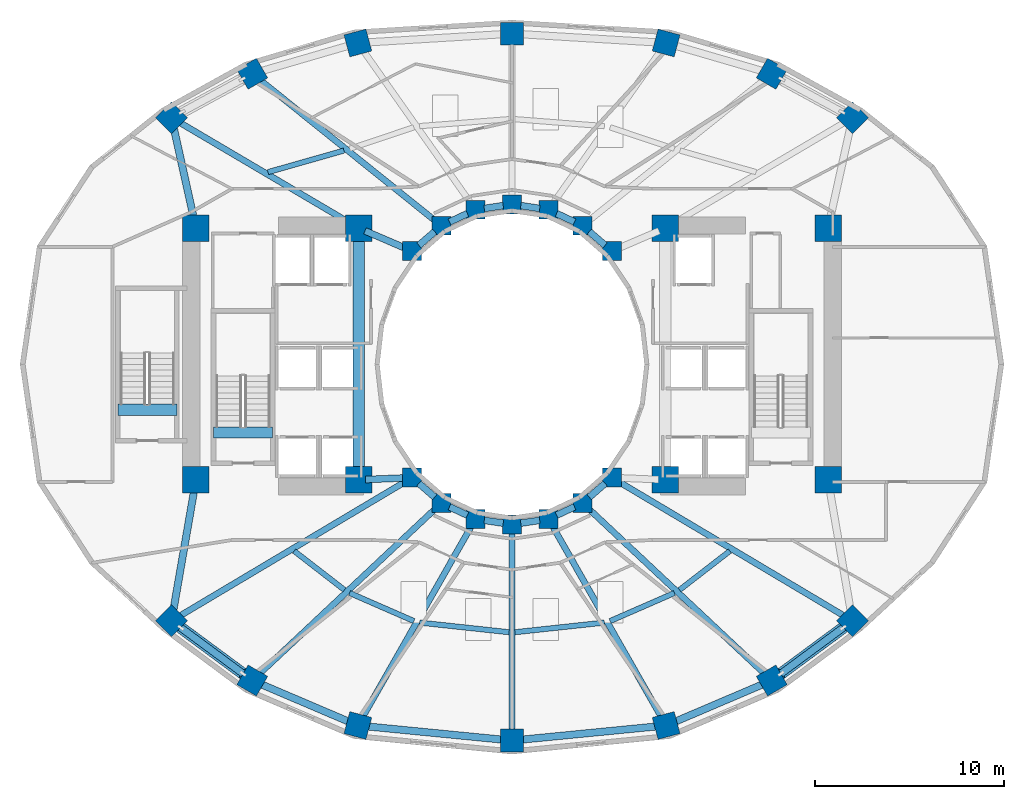
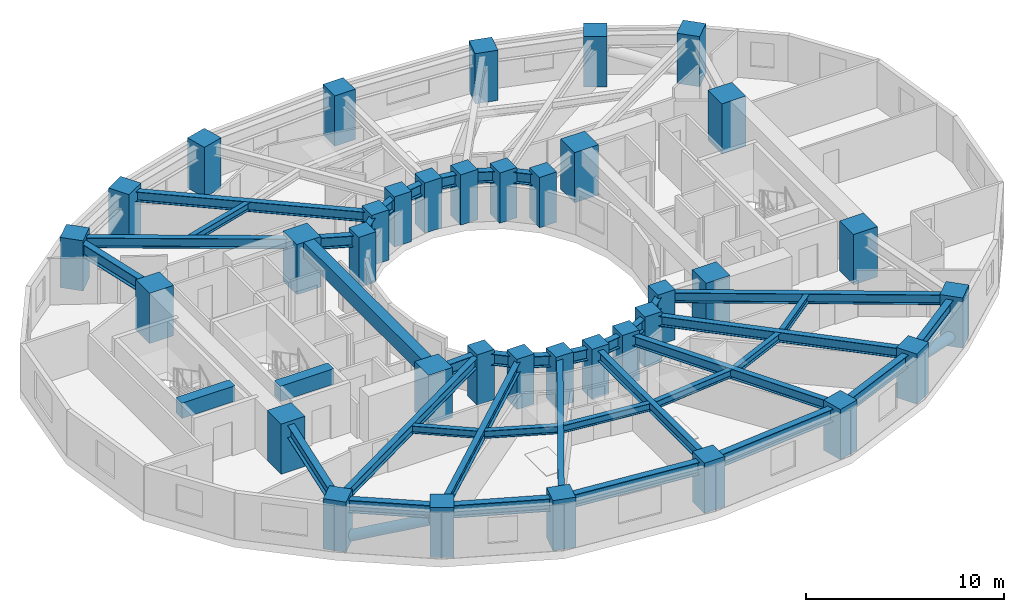
# One storey, part 1 of 9: 41 beams, 36 columns, 2 members.
"""IFC4 building model written with IfcOpenShell, lengths in metres."""

from ifc_helpers import new_model, si_unit, direction, frame, origin, origin_2d, place, context, subcontext, project, spatial, rectangle, hollow_circle, i_section, extrude, material, material_profile, profile_set, type_object, element, save


model = new_model("IFC4")

# Units and contexts
model_context = context("Model", 3, precision=1e-05, world=origin(), true_north=direction((0.0, 1.0)))
body_context = subcontext(model_context, "Body", "Model", "MODEL_VIEW")
ifc_project = project(units=[si_unit("LENGTHUNIT", "METRE"), si_unit("AREAUNIT", "SQUARE_METRE"), si_unit("VOLUMEUNIT", "CUBIC_METRE"), si_unit("PLANEANGLEUNIT", "RADIAN"), si_unit("MASSUNIT", "GRAM", prefix="KILO")], contexts=[model_context])

# Site, building, storey
site_placement = place(None, origin())
site = spatial("IfcSite", under=ifc_project, at=site_placement, CompositionType="ELEMENT")
building_placement = place(site_placement, origin())
building = spatial("IfcBuilding", under=site, at=building_placement, Name="Solvane Sanctuary Tower", CompositionType="ELEMENT")
storey_placement = place(building_placement, frame((0.0, 0.0, 55.5)))
storey = spatial("IfcBuildingStorey", under=building, at=storey_placement, Name="L16", CompositionType="ELEMENT", Elevation=55.5)

# Columns
ifc_material_1 = material(Name="Concrete C70/85", Category="concrete")
ifc_material_profile_1 = material_profile(ifc_material_1, rectangle(XDim=1.39990234375, YDim=1.39990234375, at=origin_2d()), Name="RC1400X1400")
ifc_profile_set_1 = profile_set([ifc_material_profile_1], Name="Concrete C70/85")
column_type_1 = type_object("IfcColumnType", Name="Column C-POD-INT RC1400X1400", PredefinedType="COLUMN", material=ifc_profile_set_1)
for number, where, z_axis, x_axis, name in (
    (1, (15.300048828125, 16.89990234375, 0.0), (0.0, 0.0, 1.0), (1.0, 0.0, 0.0), "L16 Core Corner Column CW1"),
    (2, (23.89990234375, 16.89990234375, 0.0), (0.0, 0.0, 1.0), (1.0, 0.0, 0.0), "L16 Core Corner Column CW2"),
    (3, (23.89990234375, 30.199951171875, 0.0), (0.0, 0.0, 1.0), (1.0, 0.0, 0.0), "L16 Core Corner Column CW3"),
    (4, (15.300048828125, 30.199951171875, 0.0), (0.0, 0.0, 1.0), (1.0, 0.0, 0.0), "L16 Core Corner Column CW4"),
    (5, (40.10009765625, 16.89990234375, 0.0), (0.0, 0.0, 1.0), (1.0, 0.0, 0.0), "L16 Core Corner Column CE1"),
    (6, (48.699951171875, 16.89990234375, 0.0), (0.0, 0.0, 1.0), (1.0, 0.0, 0.0), "L16 Core Corner Column CE2"),
    (7, (48.699951171875, 30.199951171875, 0.0), (0.0, 0.0, 1.0), (1.0, 0.0, 0.0), "L16 Core Corner Column CE3"),
    (8, (40.10009765625, 30.199951171875, 0.0), (0.0, 0.0, 1.0), (1.0, 0.0, 0.0), "L16 Core Corner Column CE4"),
):
    element("IfcColumn", number, at=place(storey_placement, frame(where, z_axis=z_axis, x_axis=x_axis)), inside=storey, type_object=column_type_1, Name=name, PredefinedType="COLUMN", context=body_context, shape_type="SweptSolid", body=[
        extrude(rectangle(XDim=1.39990234375, YDim=1.39990234375, at=origin_2d()), origin(), (0.0, 0.0, 1.0), 3.10009765625),
    ])
ifc_material_profile_2 = material_profile(ifc_material_1, rectangle(XDim=1.0, YDim=1.0, at=origin_2d()), Name="RC1000X1000")
ifc_profile_set_2 = profile_set([ifc_material_profile_2], Name="Concrete C70/85")
column_type_2 = type_object("IfcColumnType", Name="Column C-RING-Z1 RC1000X1000", PredefinedType="COLUMN", material=ifc_profile_set_2)
for number, where, z_axis, x_axis, name in (
    (9, (37.27490234375, 28.982177734375, 0.0), (0.0, 0.0, 1.0), (1.0, 0.0, 0.0), "L16 Inner Light-Well Ring Column IC01"),
    (10, (35.72998046875, 30.32666015625, 0.0), (0.0, 0.0, 1.0), (1.0, 0.0, 0.0), "L16 Inner Light-Well Ring Column IC02"),
    (11, (33.930908203125, 31.171630859375, 0.0), (0.0, 0.0, 1.0), (1.0, 0.0, 0.0), "L16 Inner Light-Well Ring Column IC03"),
    (12, (32.0, 31.4599609375, 0.0), (0.0, 0.0, 1.0), (1.0, 0.0, 0.0), "L16 Inner Light-Well Ring Column IC04"),
    (13, (30.069091796875, 31.171630859375, 0.0), (0.0, 0.0, 1.0), (1.0, 0.0, 0.0), "L16 Inner Light-Well Ring Column IC05"),
    (14, (28.27001953125, 30.32666015625, 0.0), (0.0, 0.0, 1.0), (1.0, 0.0, 0.0), "L16 Inner Light-Well Ring Column IC06"),
    (15, (26.72509765625, 28.982177734375, 0.0), (0.0, 0.0, 1.0), (1.0, 0.0, 0.0), "L16 Inner Light-Well Ring Column IC07"),
    (16, (26.72509765625, 17.017822265625, 0.0), (0.0, 0.0, 1.0), (1.0, 0.0, 0.0), "L16 Inner Light-Well Ring Column IC08"),
    (17, (28.27001953125, 15.67333984375, 0.0), (0.0, 0.0, 1.0), (1.0, 0.0, 0.0), "L16 Inner Light-Well Ring Column IC09"),
    (18, (30.069091796875, 14.828369140625, 0.0), (0.0, 0.0, 1.0), (1.0, 0.0, 0.0), "L16 Inner Light-Well Ring Column IC10"),
    (19, (32.0, 14.5400390625, 0.0), (0.0, 0.0, 1.0), (1.0, 0.0, 0.0), "L16 Inner Light-Well Ring Column IC11"),
    (20, (33.930908203125, 14.828369140625, 0.0), (0.0, 0.0, 1.0), (1.0, 0.0, 0.0), "L16 Inner Light-Well Ring Column IC12"),
    (21, (35.72998046875, 15.67333984375, 0.0), (0.0, 0.0, 1.0), (1.0, 0.0, 0.0), "L16 Inner Light-Well Ring Column IC13"),
    (22, (37.27490234375, 17.017822265625, 0.0), (0.0, 0.0, 1.0), (1.0, 0.0, 0.0), "L16 Inner Light-Well Ring Column IC14"),
):
    element("IfcColumn", number, at=place(storey_placement, frame(where, z_axis=z_axis, x_axis=x_axis)), inside=storey, type_object=column_type_2, Name=name, PredefinedType="COLUMN", context=body_context, shape_type="SweptSolid", body=[
        extrude(rectangle(XDim=1.0, YDim=1.0, at=origin_2d()), origin(), (0.0, 0.0, 1.0), 3.10009765625),
    ])
ifc_material_profile_3 = material_profile(ifc_material_1, rectangle(XDim=1.199951171875, YDim=1.199951171875, at=origin_2d()), Name="RC1200X1200")
ifc_profile_set_3 = profile_set([ifc_material_profile_3], Name="Concrete C70/85")
column_type_3 = type_object("IfcColumnType", Name="Column C-TUBE-Z1 RC1200X1200", PredefinedType="COLUMN", material=ifc_profile_set_3)
for number, where, z_axis, x_axis, name in (
    (23, (49.99169921875, 36.035400390625, 0.0), (0.0, 0.0, 1.0), (0.707106781187, 0.707106781187, 0.0), "L16 Perimeter Tube Column TC01"),
    (24, (45.727294921875, 38.359375, 0.0), (0.0, 0.0, 1.0), (0.5, 0.866025403784, 0.0), "L16 Perimeter Tube Column TC02"),
    (25, (40.14501953125, 39.985595703125, 0.0), (0.0, 0.0, 1.0), (0.258819045103, 0.965925826289, 0.0), "L16 Perimeter Tube Column TC03"),
    (26, (32.0, 40.47998046875, 0.0), (0.0, 0.0, 1.0), (0.0, 1.0, 0.0), "L16 Perimeter Tube Column TC04"),
    (27, (23.85498046875, 39.985595703125, 0.0), (0.0, 0.0, 1.0), (-0.258819045103, 0.965925826289, 0.0), "L16 Perimeter Tube Column TC05"),
    (28, (18.272705078125, 38.359375, 0.0), (0.0, 0.0, 1.0), (-0.5, 0.866025403784, 0.0), "L16 Perimeter Tube Column TC06"),
    (29, (14.00830078125, 36.035400390625, 0.0), (0.0, 0.0, 1.0), (-0.707106781187, 0.707106781187, 0.0), "L16 Perimeter Tube Column TC07"),
    (30, (14.00830078125, 9.4462890625, 0.0), (0.0, 0.0, 1.0), (-0.707106781187, -0.707106781187, 0.0), "L16 Perimeter Tube Column TC08"),
    (31, (18.272705078125, 6.2958984375, 0.0), (0.0, 0.0, 1.0), (-0.5, -0.866025403784, 0.0), "L16 Perimeter Tube Column TC09"),
    (32, (23.85498046875, 3.916259765625, 0.0), (0.0, 0.0, 1.0), (-0.258819045103, -0.965925826289, 0.0), "L16 Perimeter Tube Column TC10"),
    (33, (32.0, 3.1201171875, 0.0), (0.0, 0.0, 1.0), (0.0, -1.0, 0.0), "L16 Perimeter Tube Column TC11"),
    (34, (40.14501953125, 3.916259765625, 0.0), (0.0, 0.0, 1.0), (0.258819045103, -0.965925826289, 0.0), "L16 Perimeter Tube Column TC12"),
    (35, (45.727294921875, 6.2958984375, 0.0), (0.0, 0.0, 1.0), (0.5, -0.866025403784, 0.0), "L16 Perimeter Tube Column TC13"),
    (36, (49.99169921875, 9.4462890625, 0.0), (0.0, 0.0, 1.0), (0.707106781187, -0.707106781187, 0.0), "L16 Perimeter Tube Column TC14"),
):
    element("IfcColumn", number, at=place(storey_placement, frame(where, z_axis=z_axis, x_axis=x_axis)), inside=storey, type_object=column_type_3, Name=name, PredefinedType="COLUMN", context=body_context, shape_type="SweptSolid", body=[
        extrude(rectangle(XDim=1.199951171875, YDim=1.199951171875, at=origin_2d()), origin(), (0.0, 0.0, 1.0), 3.10009765625),
    ])

# Beams
ifc_material_profile_4 = material_profile(ifc_material_1, rectangle(XDim=0.60009765625, YDim=0.949951171875, at=origin_2d()), Name="RC600X950")
ifc_profile_set_4 = profile_set([ifc_material_profile_4], Name="Concrete C70/85")
beam_type_1 = type_object("IfcBeamType", Name="Beam B-COUPLE RC600X950", PredefinedType="LINTEL", material=ifc_profile_set_4)
beam_1_placement = place(storey_placement, frame((23.89990234375, 17.35009765625, 2.625), z_axis=(0.0, 1.0, 0.0), x_axis=(-1.0, 0.0, 0.0)))
element("IfcBeam", 37, at=beam_1_placement, inside=storey, type_object=beam_type_1, Name="L16 West Core Coupling Lintel", PredefinedType="LINTEL", context=body_context, shape_type="SweptSolid", body=[
    extrude(rectangle(XDim=0.60009765625, YDim=0.949951171875, at=origin_2d()), origin(), (0.0, 0.0, 1.0), 12.39990234375),
])
for number, where, z_axis, x_axis, name in (
    (38, (16.22998046875, 19.399169921875, 2.625), (1.0, 0.0, 0.0), (0.0, 1.0, 0.0), "L16 ST-1 Stair Floor Landing Trimmer"),
    (39, (11.169921875, 20.59912109375, 2.625), (1.0, 0.0, 0.0), (0.0, 1.0, 0.0), "L16 ST-3 Stair Floor Landing Trimmer"),
):
    element("IfcBeam", number, at=place(storey_placement, frame(where, z_axis=z_axis, x_axis=x_axis)), inside=storey, type_object=beam_type_1, Name=name, PredefinedType="LINTEL", context=body_context, shape_type="SweptSolid", body=[
        extrude(rectangle(XDim=0.60009765625, YDim=0.949951171875, at=origin_2d()), origin(), (0.0, 0.0, 1.0), 3.1201171875),
    ])
ifc_material_2 = material(Name="Steel ASTM A992 Grade 50", Category="steel")
ifc_material_profile_5 = material_profile(ifc_material_2, i_section(OverallWidth=0.323974609375, OverallDepth=0.611083984375, WebThickness=0.0126953125, FlangeThickness=0.01904296875, FilletRadius=0.01611328125, at=origin_2d()), Name="W24X104")
ifc_profile_set_5 = profile_set([ifc_material_profile_5], Name="Steel ASTM A992 Grade 50")
beam_type_2 = type_object("IfcBeamType", Name="Beam B-RAD-Z1 W24X104", PredefinedType="BEAM", material=ifc_profile_set_5)
beam_2_placement = place(storey_placement, frame((28.0517578125, 30.501953125, 2.572509765625), z_axis=(-0.779526985436, 0.626368644631, 0.0), x_axis=(-0.626368644631, -0.779526985436, 0.0)))
element("IfcBeam", 40, at=beam_2_placement, inside=storey, type_object=beam_type_2, Name="L16 Radial Composite Floor Beam 06", PredefinedType="BEAM", context=body_context, shape_type="SweptSolid", body=[
    extrude(i_section(OverallWidth=0.323974609375, OverallDepth=0.611083984375, WebThickness=0.0126953125, FlangeThickness=0.01904296875, FilletRadius=0.01611328125, at=origin_2d()), origin(), (0.0, 0.0, 1.0), 12.2646484375),
])
beam_3_placement = place(storey_placement, frame((23.58984375, 30.3828125, 2.572509765625), z_axis=(-0.861291129905, 0.508111788435, 0.0), x_axis=(-0.508111788435, -0.861291129905, 0.0)))
element("IfcBeam", 41, at=beam_3_placement, inside=storey, type_object=beam_type_2, Name="L16 Radial Composite Floor Beam 07", PredefinedType="BEAM", context=body_context, shape_type="SweptSolid", body=[
    extrude(i_section(OverallWidth=0.323974609375, OverallDepth=0.611083984375, WebThickness=0.0126953125, FlangeThickness=0.01904296875, FilletRadius=0.01611328125, at=origin_2d()), origin(), (0.0, 0.0, 1.0), 10.844482421875),
])
beam_4_placement = place(storey_placement, frame((26.484375, 16.874755859375, 2.572509765625), z_axis=(-0.859229187027, -0.511590856214, 0.0), x_axis=(0.511590856214, -0.859229187027, 0.0)))
element("IfcBeam", 42, at=beam_4_placement, inside=storey, type_object=beam_type_2, Name="L16 Radial Composite Floor Beam 08", PredefinedType="BEAM", context=body_context, shape_type="SweptSolid", body=[
    extrude(i_section(OverallWidth=0.323974609375, OverallDepth=0.611083984375, WebThickness=0.0126953125, FlangeThickness=0.01904296875, FilletRadius=0.01611328125, at=origin_2d()), origin(), (0.0, 0.0, 1.0), 14.240234375),
])
beam_5_placement = place(storey_placement, frame((28.06591796875, 15.481689453125, 2.572509765625), z_axis=(-0.729363446859, -0.68412642281, 0.0), x_axis=(0.68412642281, -0.729363446859, 0.0)))
element("IfcBeam", 43, at=beam_5_placement, inside=storey, type_object=beam_type_2, Name="L16 Radial Composite Floor Beam 09", PredefinedType="BEAM", context=body_context, shape_type="SweptSolid", body=[
    extrude(i_section(OverallWidth=0.323974609375, OverallDepth=0.611083984375, WebThickness=0.0126953125, FlangeThickness=0.01904296875, FilletRadius=0.01611328125, at=origin_2d()), origin(), (0.0, 0.0, 1.0), 13.14697265625),
])
beam_6_placement = place(storey_placement, frame((29.9306640625, 14.5849609375, 2.572509765625), z_axis=(-0.494862949167, -0.868971036078, 0.0), x_axis=(0.868971036078, -0.494862949167, 0.0)))
element("IfcBeam", 44, at=beam_6_placement, inside=storey, type_object=beam_type_2, Name="L16 Radial Composite Floor Beam 10", PredefinedType="BEAM", context=body_context, shape_type="SweptSolid", body=[
    extrude(i_section(OverallWidth=0.323974609375, OverallDepth=0.611083984375, WebThickness=0.0126953125, FlangeThickness=0.01904296875, FilletRadius=0.01611328125, at=origin_2d()), origin(), (0.0, 0.0, 1.0), 11.997314453125),
])
beam_7_placement = place(storey_placement, frame((32.0, 14.260009765625, 2.572509765625), z_axis=(0.0, -1.0, 0.0), x_axis=(1.0, 0.0, 0.0)))
element("IfcBeam", 45, at=beam_7_placement, inside=storey, type_object=beam_type_2, Name="L16 Radial Composite Floor Beam 11", PredefinedType="BEAM", context=body_context, shape_type="SweptSolid", body=[
    extrude(i_section(OverallWidth=0.323974609375, OverallDepth=0.611083984375, WebThickness=0.0126953125, FlangeThickness=0.01904296875, FilletRadius=0.01611328125, at=origin_2d()), origin(), (0.0, 0.0, 1.0), 10.860107421875),
])
beam_8_placement = place(storey_placement, frame((34.0693359375, 14.5849609375, 2.572509765625), z_axis=(0.494862949167, -0.868971036078, 0.0), x_axis=(0.868971036078, 0.494862949167, 0.0)))
element("IfcBeam", 46, at=beam_8_placement, inside=storey, type_object=beam_type_2, Name="L16 Radial Composite Floor Beam 12", PredefinedType="BEAM", context=body_context, shape_type="SweptSolid", body=[
    extrude(i_section(OverallWidth=0.323974609375, OverallDepth=0.611083984375, WebThickness=0.0126953125, FlangeThickness=0.01904296875, FilletRadius=0.01611328125, at=origin_2d()), origin(), (0.0, 0.0, 1.0), 11.997314453125),
])
beam_9_placement = place(storey_placement, frame((35.93408203125, 15.481689453125, 2.572509765625), z_axis=(0.729363446859, -0.68412642281, 0.0), x_axis=(0.68412642281, 0.729363446859, 0.0)))
element("IfcBeam", 47, at=beam_9_placement, inside=storey, type_object=beam_type_2, Name="L16 Radial Composite Floor Beam 13", PredefinedType="BEAM", context=body_context, shape_type="SweptSolid", body=[
    extrude(i_section(OverallWidth=0.323974609375, OverallDepth=0.611083984375, WebThickness=0.0126953125, FlangeThickness=0.01904296875, FilletRadius=0.01611328125, at=origin_2d()), origin(), (0.0, 0.0, 1.0), 13.14697265625),
])
beam_10_placement = place(storey_placement, frame((37.515625, 16.874755859375, 2.572509765625), z_axis=(0.859229187027, -0.511590856214, 0.0), x_axis=(0.511590856214, 0.859229187027, 0.0)))
element("IfcBeam", 48, at=beam_10_placement, inside=storey, type_object=beam_type_2, Name="L16 Radial Composite Floor Beam 14", PredefinedType="BEAM", context=body_context, shape_type="SweptSolid", body=[
    extrude(i_section(OverallWidth=0.323974609375, OverallDepth=0.611083984375, WebThickness=0.0126953125, FlangeThickness=0.01904296875, FilletRadius=0.01611328125, at=origin_2d()), origin(), (0.0, 0.0, 1.0), 14.240234375),
])
ifc_material_profile_6 = material_profile(ifc_material_2, i_section(OverallWidth=0.35498046875, OverallDepth=0.695068359375, WebThickness=0.015380859375, FlangeThickness=0.02490234375, FilletRadius=0.01806640625, at=origin_2d()), Name="W27X146")
ifc_profile_set_6 = profile_set([ifc_material_profile_6], Name="Steel ASTM A992 Grade 50")
beam_type_3 = type_object("IfcBeamType", Name="Beam B-RING-IN1 W27X146", PredefinedType="BEAM", material=ifc_profile_set_6)
beam_11_placement = place(storey_placement, frame((24.230712890625, 30.0576171875, 2.530517578125), z_axis=(0.918277080365, -0.395938383687, 0.0), x_axis=(0.395938383687, 0.918277080365, 0.0)))
element("IfcBeam", 49, at=beam_11_placement, inside=storey, type_object=beam_type_3, Name="L16 Inner Light-Well Ring Beam CW3-IC07", PredefinedType="BEAM", context=body_context, shape_type="SweptSolid", body=[
    extrude(i_section(OverallWidth=0.35498046875, OverallDepth=0.695068359375, WebThickness=0.015380859375, FlangeThickness=0.02490234375, FilletRadius=0.01806640625, at=origin_2d()), origin(), (0.0, 0.0, 1.0), 2.246337890625),
])
beam_12_placement = place(storey_placement, frame((27.07958984375, 29.29052734375, 2.530517578125), z_axis=(0.754320881993, 0.65650590781, 0.0), x_axis=(-0.65650590781, 0.754320881993, 0.0)))
element("IfcBeam", 50, at=beam_12_placement, inside=storey, type_object=beam_type_3, Name="L16 Inner Light-Well Ring Beam IC07-IC06", PredefinedType="BEAM", context=body_context, shape_type="SweptSolid", body=[
    extrude(i_section(OverallWidth=0.35498046875, OverallDepth=0.695068359375, WebThickness=0.015380859375, FlangeThickness=0.02490234375, FilletRadius=0.01806640625, at=origin_2d()), origin(), (0.0, 0.0, 1.0), 1.108154296875),
])
beam_13_placement = place(storey_placement, frame((28.6953125, 30.5263671875, 2.530517578125), z_axis=(0.905108885866, 0.42517984986, 0.0), x_axis=(-0.42517984986, 0.905108885866, 0.0)))
element("IfcBeam", 51, at=beam_13_placement, inside=storey, type_object=beam_type_3, Name="L16 Inner Light-Well Ring Beam IC06-IC05", PredefinedType="BEAM", context=body_context, shape_type="SweptSolid", body=[
    extrude(i_section(OverallWidth=0.35498046875, OverallDepth=0.695068359375, WebThickness=0.015380859375, FlangeThickness=0.02490234375, FilletRadius=0.01806640625, at=origin_2d()), origin(), (0.0, 0.0, 1.0), 1.0478515625),
])
for number, where, z_axis, x_axis, name in (
    (52, (30.533935546875, 31.2412109375, 2.530517578125), (0.989047520133, 0.147597435338, 0.0), (-0.147597435338, 0.989047520133, 0.0), "L16 Inner Light-Well Ring Beam IC05-IC04"),
    (53, (32.46484375, 31.390625, 2.530517578125), (0.989047520133, -0.147597435338, 0.0), (0.147597435338, 0.989047520133, 0.0), "L16 Inner Light-Well Ring Beam IC04-IC03"),
):
    element("IfcBeam", number, at=place(storey_placement, frame(where, z_axis=z_axis, x_axis=x_axis)), inside=storey, type_object=beam_type_3, Name=name, PredefinedType="BEAM", context=body_context, shape_type="SweptSolid", body=[
        extrude(i_section(OverallWidth=0.35498046875, OverallDepth=0.695068359375, WebThickness=0.015380859375, FlangeThickness=0.02490234375, FilletRadius=0.01806640625, at=origin_2d()), origin(), (0.0, 0.0, 1.0), 1.01220703125),
    ])
beam_14_placement = place(storey_placement, frame((34.356201171875, 30.971923828125, 2.530517578125), z_axis=(0.905108885866, -0.42517984986, 0.0), x_axis=(0.42517984986, 0.905108885866, 0.0)))
element("IfcBeam", 54, at=beam_14_placement, inside=storey, type_object=beam_type_3, Name="L16 Inner Light-Well Ring Beam IC03-IC02", PredefinedType="BEAM", context=body_context, shape_type="SweptSolid", body=[
    extrude(i_section(OverallWidth=0.35498046875, OverallDepth=0.695068359375, WebThickness=0.015380859375, FlangeThickness=0.02490234375, FilletRadius=0.01806640625, at=origin_2d()), origin(), (0.0, 0.0, 1.0), 1.0478515625),
])
beam_15_placement = place(storey_placement, frame((36.08447265625, 30.01806640625, 2.530517578125), z_axis=(0.754320881993, -0.65650590781, 0.0), x_axis=(0.65650590781, 0.754320881993, 0.0)))
element("IfcBeam", 55, at=beam_15_placement, inside=storey, type_object=beam_type_3, Name="L16 Inner Light-Well Ring Beam IC02-IC01", PredefinedType="BEAM", context=body_context, shape_type="SweptSolid", body=[
    extrude(i_section(OverallWidth=0.35498046875, OverallDepth=0.695068359375, WebThickness=0.015380859375, FlangeThickness=0.02490234375, FilletRadius=0.01806640625, at=origin_2d()), origin(), (0.0, 0.0, 1.0), 1.108154296875),
])
beam_16_placement = place(storey_placement, frame((24.259765625, 16.9150390625, 2.530517578125), z_axis=(0.999130953379, 0.041681386726, 0.0), x_axis=(-0.041681386726, 0.999130953379, 0.0)))
element("IfcBeam", 56, at=beam_16_placement, inside=storey, type_object=beam_type_3, Name="L16 Inner Light-Well Ring Beam CW2-IC08", PredefinedType="BEAM", context=body_context, shape_type="SweptSolid", body=[
    extrude(i_section(OverallWidth=0.35498046875, OverallDepth=0.695068359375, WebThickness=0.015380859375, FlangeThickness=0.02490234375, FilletRadius=0.01806640625, at=origin_2d()), origin(), (0.0, 0.0, 1.0), 1.997314453125),
])
beam_17_placement = place(storey_placement, frame((27.07958984375, 16.70947265625, 2.530517578125), z_axis=(0.754320881993, -0.65650590781, 0.0), x_axis=(0.65650590781, 0.754320881993, 0.0)))
element("IfcBeam", 57, at=beam_17_placement, inside=storey, type_object=beam_type_3, Name="L16 Inner Light-Well Ring Beam IC08-IC09", PredefinedType="BEAM", context=body_context, shape_type="SweptSolid", body=[
    extrude(i_section(OverallWidth=0.35498046875, OverallDepth=0.695068359375, WebThickness=0.015380859375, FlangeThickness=0.02490234375, FilletRadius=0.01806640625, at=origin_2d()), origin(), (0.0, 0.0, 1.0), 1.108154296875),
])
beam_18_placement = place(storey_placement, frame((28.6953125, 15.4736328125, 2.530517578125), z_axis=(0.905108885866, -0.42517984986, 0.0), x_axis=(0.42517984986, 0.905108885866, 0.0)))
element("IfcBeam", 58, at=beam_18_placement, inside=storey, type_object=beam_type_3, Name="L16 Inner Light-Well Ring Beam IC09-IC10", PredefinedType="BEAM", context=body_context, shape_type="SweptSolid", body=[
    extrude(i_section(OverallWidth=0.35498046875, OverallDepth=0.695068359375, WebThickness=0.015380859375, FlangeThickness=0.02490234375, FilletRadius=0.01806640625, at=origin_2d()), origin(), (0.0, 0.0, 1.0), 1.0478515625),
])
for number, where, z_axis, x_axis, name in (
    (59, (30.533935546875, 14.7587890625, 2.530517578125), (0.989047520133, -0.147597435338, 0.0), (0.147597435338, 0.989047520133, 0.0), "L16 Inner Light-Well Ring Beam IC10-IC11"),
    (60, (32.46484375, 14.609375, 2.530517578125), (0.989047520133, 0.147597435338, 0.0), (-0.147597435338, 0.989047520133, 0.0), "L16 Inner Light-Well Ring Beam IC11-IC12"),
):
    element("IfcBeam", number, at=place(storey_placement, frame(where, z_axis=z_axis, x_axis=x_axis)), inside=storey, type_object=beam_type_3, Name=name, PredefinedType="BEAM", context=body_context, shape_type="SweptSolid", body=[
        extrude(i_section(OverallWidth=0.35498046875, OverallDepth=0.695068359375, WebThickness=0.015380859375, FlangeThickness=0.02490234375, FilletRadius=0.01806640625, at=origin_2d()), origin(), (0.0, 0.0, 1.0), 1.01220703125),
    ])
beam_19_placement = place(storey_placement, frame((34.356201171875, 15.028076171875, 2.530517578125), z_axis=(0.905108885866, 0.42517984986, 0.0), x_axis=(-0.42517984986, 0.905108885866, 0.0)))
element("IfcBeam", 61, at=beam_19_placement, inside=storey, type_object=beam_type_3, Name="L16 Inner Light-Well Ring Beam IC12-IC13", PredefinedType="BEAM", context=body_context, shape_type="SweptSolid", body=[
    extrude(i_section(OverallWidth=0.35498046875, OverallDepth=0.695068359375, WebThickness=0.015380859375, FlangeThickness=0.02490234375, FilletRadius=0.01806640625, at=origin_2d()), origin(), (0.0, 0.0, 1.0), 1.0478515625),
])
beam_20_placement = place(storey_placement, frame((36.08447265625, 15.98193359375, 2.530517578125), z_axis=(0.754320881993, 0.65650590781, 0.0), x_axis=(-0.65650590781, 0.754320881993, 0.0)))
element("IfcBeam", 62, at=beam_20_placement, inside=storey, type_object=beam_type_3, Name="L16 Inner Light-Well Ring Beam IC13-IC14", PredefinedType="BEAM", context=body_context, shape_type="SweptSolid", body=[
    extrude(i_section(OverallWidth=0.35498046875, OverallDepth=0.695068359375, WebThickness=0.015380859375, FlangeThickness=0.02490234375, FilletRadius=0.01806640625, at=origin_2d()), origin(), (0.0, 0.0, 1.0), 1.108154296875),
])
ifc_material_profile_7 = material_profile(ifc_material_2, i_section(OverallWidth=0.280029296875, OverallDepth=0.462890625, WebThickness=0.0107421875, FlangeThickness=0.017333984375, FilletRadius=0.013916015625, at=origin_2d()), Name="W18X76")
ifc_profile_set_7 = profile_set([ifc_material_profile_7], Name="Steel ASTM A992 Grade 50")
beam_type_4 = type_object("IfcBeamType", Name="Beam B-SEC-JOIST W18X76", PredefinedType="JOIST", material=ifc_profile_set_7)
beam_21_placement = place(storey_placement, frame((19.10498046875, 33.160400390625, 2.646484375), z_axis=(0.962003645121, 0.273036603358, 0.0), x_axis=(-0.273036603358, 0.962003645121, 0.0)))
element("IfcBeam", 63, at=beam_21_placement, inside=storey, type_object=beam_type_4, Name="L16 Secondary Circumferential Joist 07-06", PredefinedType="JOIST", context=body_context, shape_type="SweptSolid", body=[
    extrude(i_section(OverallWidth=0.280029296875, OverallDepth=0.462890625, WebThickness=0.0107421875, FlangeThickness=0.017333984375, FilletRadius=0.013916015625, at=origin_2d()), origin(), (0.0, 0.0, 1.0), 4.174072265625),
])
beam_22_placement = place(storey_placement, frame((20.49072265625, 13.135986328125, 2.646484375), z_axis=(0.790934777094, -0.611900464441, 0.0), x_axis=(0.611900464441, 0.790934777094, 0.0)))
element("IfcBeam", 64, at=beam_22_placement, inside=storey, type_object=beam_type_4, Name="L16 Secondary Circumferential Joist 08-09", PredefinedType="JOIST", context=body_context, shape_type="SweptSolid", body=[
    extrude(i_section(OverallWidth=0.280029296875, OverallDepth=0.462890625, WebThickness=0.0107421875, FlangeThickness=0.017333984375, FilletRadius=0.013916015625, at=origin_2d()), origin(), (0.0, 0.0, 1.0), 3.358642578125),
])
beam_23_placement = place(storey_placement, frame((23.415283203125, 10.921875, 2.646484375), z_axis=(0.916382007922, -0.400304903238, 0.0), x_axis=(0.400304903238, 0.916382007922, 0.0)))
element("IfcBeam", 65, at=beam_23_placement, inside=storey, type_object=beam_type_4, Name="L16 Secondary Circumferential Joist 09-10", PredefinedType="JOIST", context=body_context, shape_type="SweptSolid", body=[
    extrude(i_section(OverallWidth=0.280029296875, OverallDepth=0.462890625, WebThickness=0.0107421875, FlangeThickness=0.017333984375, FilletRadius=0.013916015625, at=origin_2d()), origin(), (0.0, 0.0, 1.0), 3.713623046875),
])
for number, where, z_axis, x_axis, name in (
    (66, (27.118408203125, 9.35546875, 2.646484375), (0.994253832067, -0.107048201386, 0.0), (0.107048201386, 0.994253832067, 0.0), "L16 Secondary Circumferential Joist 10-11"),
    (67, (32.156005859375, 8.8466796875, 2.646484375), (0.994253832067, 0.107048201386, 0.0), (-0.107048201386, 0.994253832067, 0.0), "L16 Secondary Circumferential Joist 11-12"),
):
    element("IfcBeam", number, at=place(storey_placement, frame(where, z_axis=z_axis, x_axis=x_axis)), inside=storey, type_object=beam_type_4, Name=name, PredefinedType="JOIST", context=body_context, shape_type="SweptSolid", body=[
        extrude(i_section(OverallWidth=0.280029296875, OverallDepth=0.462890625, WebThickness=0.0107421875, FlangeThickness=0.017333984375, FilletRadius=0.013916015625, at=origin_2d()), origin(), (0.0, 0.0, 1.0), 4.7529296875),
    ])
beam_24_placement = place(storey_placement, frame((37.181640625, 9.435302734375, 2.646484375), z_axis=(0.916382007922, 0.400304903238, 0.0), x_axis=(-0.400304903238, 0.916382007922, 0.0)))
element("IfcBeam", 68, at=beam_24_placement, inside=storey, type_object=beam_type_4, Name="L16 Secondary Circumferential Joist 12-13", PredefinedType="JOIST", context=body_context, shape_type="SweptSolid", body=[
    extrude(i_section(OverallWidth=0.280029296875, OverallDepth=0.462890625, WebThickness=0.0107421875, FlangeThickness=0.017333984375, FilletRadius=0.013916015625, at=origin_2d()), origin(), (0.0, 0.0, 1.0), 3.713623046875),
])
beam_25_placement = place(storey_placement, frame((40.852783203125, 11.080810546875, 2.646484375), z_axis=(0.790934777094, 0.611900464441, 0.0), x_axis=(-0.611900464441, 0.790934777094, 0.0)))
element("IfcBeam", 69, at=beam_25_placement, inside=storey, type_object=beam_type_4, Name="L16 Secondary Circumferential Joist 13-14", PredefinedType="JOIST", context=body_context, shape_type="SweptSolid", body=[
    extrude(i_section(OverallWidth=0.280029296875, OverallDepth=0.462890625, WebThickness=0.0107421875, FlangeThickness=0.017333984375, FilletRadius=0.013916015625, at=origin_2d()), origin(), (0.0, 0.0, 1.0), 3.358642578125),
])
ifc_material_profile_8 = material_profile(ifc_material_2, i_section(OverallWidth=0.382080078125, OverallDepth=0.779052734375, WebThickness=0.01806640625, FlangeThickness=0.030029296875, FilletRadius=0.02001953125, at=origin_2d()), Name="W30X191")
ifc_profile_set_8 = profile_set([ifc_material_profile_8], Name="Steel ASTM A992 Grade 50")
beam_type_5 = type_object("IfcBeamType", Name="Beam B-SPAND-Z1 W30X191", PredefinedType="SPANDREL", material=ifc_profile_set_8)
beam_26_placement = place(storey_placement, frame((15.239501953125, 30.473388671875, 2.488525390625), z_axis=(-0.216123846648, 0.976365957472, 0.0), x_axis=(-0.976365957472, -0.216123846648, 0.0)))
element("IfcBeam", 70, at=beam_26_placement, inside=storey, type_object=beam_type_5, Name="L16 Perimeter Spandrel Beam CW4-TC07", PredefinedType="SPANDREL", context=body_context, shape_type="SweptSolid", body=[
    extrude(i_section(OverallWidth=0.382080078125, OverallDepth=0.779052734375, WebThickness=0.01806640625, FlangeThickness=0.030029296875, FilletRadius=0.02001953125, at=origin_2d()), origin(), (0.0, 0.0, 1.0), 5.41650390625),
])
beam_27_placement = place(storey_placement, frame((15.252197265625, 16.6240234375, 2.488525390625), z_axis=(-0.170754238709, -0.985313650551, 0.0), x_axis=(0.985313650551, -0.170754238709, 0.0)))
element("IfcBeam", 71, at=beam_27_placement, inside=storey, type_object=beam_type_5, Name="L16 Perimeter Spandrel Beam CW1-TC08", PredefinedType="SPANDREL", context=body_context, shape_type="SweptSolid", body=[
    extrude(i_section(OverallWidth=0.382080078125, OverallDepth=0.779052734375, WebThickness=0.01806640625, FlangeThickness=0.030029296875, FilletRadius=0.02001953125, at=origin_2d()), origin(), (0.0, 0.0, 1.0), 7.00439453125),
])
beam_28_placement = place(storey_placement, frame((14.2333984375, 9.280029296875, 2.488525390625), z_axis=(0.804334467125, -0.594176796076, 0.0), x_axis=(0.594176796076, 0.804334467125, 0.0)))
element("IfcBeam", 72, at=beam_28_placement, inside=storey, type_object=beam_type_5, Name="L16 Perimeter Spandrel Beam TC08-TC09", PredefinedType="SPANDREL", context=body_context, shape_type="SweptSolid", body=[
    extrude(i_section(OverallWidth=0.382080078125, OverallDepth=0.779052734375, WebThickness=0.01806640625, FlangeThickness=0.030029296875, FilletRadius=0.02001953125, at=origin_2d()), origin(), (0.0, 0.0, 1.0), 4.7421875),
])
beam_29_placement = place(storey_placement, frame((18.530517578125, 6.18603515625, 2.488525390625), z_axis=(0.919906751835, -0.392137179988, 0.0), x_axis=(0.392137179988, 0.919906751835, 0.0)))
element("IfcBeam", 73, at=beam_29_placement, inside=storey, type_object=beam_type_5, Name="L16 Perimeter Spandrel Beam TC09-TC10", PredefinedType="SPANDREL", context=body_context, shape_type="SweptSolid", body=[
    extrude(i_section(OverallWidth=0.382080078125, OverallDepth=0.779052734375, WebThickness=0.01806640625, FlangeThickness=0.030029296875, FilletRadius=0.02001953125, at=origin_2d()), origin(), (0.0, 0.0, 1.0), 5.508056640625),
])
for number, where, z_axis, x_axis, name in (
    (74, (24.1337890625, 3.88916015625, 2.488525390625), (0.995252945064, -0.097322018793, 0.0), (0.097322018793, 0.995252945064, 0.0), "L16 Perimeter Spandrel Beam TC10-TC11"),
    (75, (32.27880859375, 3.147216796875, 2.488525390625), (0.995252945064, 0.097322018793, 0.0), (-0.097322018793, 0.995252945064, 0.0), "L16 Perimeter Spandrel Beam TC11-TC12"),
):
    element("IfcBeam", number, at=place(storey_placement, frame(where, z_axis=z_axis, x_axis=x_axis)), inside=storey, type_object=beam_type_5, Name=name, PredefinedType="SPANDREL", context=body_context, shape_type="SweptSolid", body=[
        extrude(i_section(OverallWidth=0.382080078125, OverallDepth=0.779052734375, WebThickness=0.01806640625, FlangeThickness=0.030029296875, FilletRadius=0.02001953125, at=origin_2d()), origin(), (0.0, 0.0, 1.0), 7.62353515625),
    ])
beam_30_placement = place(storey_placement, frame((40.402587890625, 4.026123046875, 2.488525390625), z_axis=(0.919906751835, 0.392137179988, 0.0), x_axis=(-0.392137179988, 0.919906751835, 0.0)))
element("IfcBeam", 76, at=beam_30_placement, inside=storey, type_object=beam_type_5, Name="L16 Perimeter Spandrel Beam TC12-TC13", PredefinedType="SPANDREL", context=body_context, shape_type="SweptSolid", body=[
    extrude(i_section(OverallWidth=0.382080078125, OverallDepth=0.779052734375, WebThickness=0.01806640625, FlangeThickness=0.030029296875, FilletRadius=0.02001953125, at=origin_2d()), origin(), (0.0, 0.0, 1.0), 5.508056640625),
])
beam_31_placement = place(storey_placement, frame((45.952392578125, 6.46240234375, 2.488525390625), z_axis=(0.804334467125, 0.594176796076, 0.0), x_axis=(-0.594176796076, 0.804334467125, 0.0)))
element("IfcBeam", 77, at=beam_31_placement, inside=storey, type_object=beam_type_5, Name="L16 Perimeter Spandrel Beam TC13-TC14", PredefinedType="SPANDREL", context=body_context, shape_type="SweptSolid", body=[
    extrude(i_section(OverallWidth=0.382080078125, OverallDepth=0.779052734375, WebThickness=0.01806640625, FlangeThickness=0.030029296875, FilletRadius=0.02001953125, at=origin_2d()), origin(), (0.0, 0.0, 1.0), 4.7421875),
])

# Members
ifc_material_profile_9 = material_profile(ifc_material_2, hollow_circle(Radius=0.304931640625, WallThickness=0.01611328125, at=origin_2d()), Name="CHS610X16")
ifc_profile_set_9 = profile_set([ifc_material_profile_9], Name="Steel ASTM A992 Grade 50")
member_type = type_object("IfcMemberType", Name="Member M-TUBE-Z1 CHS610X16", PredefinedType="BRACE", material=ifc_profile_set_9)
for number, where, z_axis, x_axis, name in (
    (78, (14.50390625, 9.080078125, 0.579833984375), (0.765137923591, -0.565199520065, 0.308404702302), (0.594161791503, 0.804345551065, 0.0), "L16 Perimeter Braced-Tube Diagonal SW"),
    (79, (49.49609375, 9.080078125, 0.579833984375), (-0.765137923591, -0.565199520065, 0.308404702302), (0.594161791503, -0.804345551065, 0.0), "L16 Perimeter Braced-Tube Diagonal SE"),
):
    element("IfcMember", number, at=place(storey_placement, frame(where, z_axis=z_axis, x_axis=x_axis)), inside=storey, type_object=member_type, Name=name, PredefinedType="BRACE", context=body_context, shape_type="SweptSolid", body=[
        extrude(hollow_circle(Radius=0.304931640625, WallThickness=0.01611328125, at=origin_2d()), origin(), (0.0, 0.0, 1.0), 4.281005859375),
    ])

save(model, "model.ifc")
